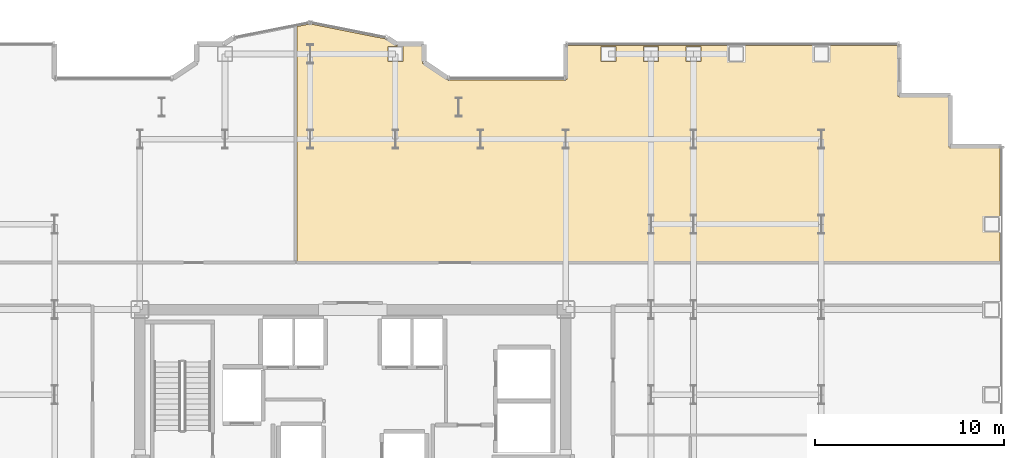
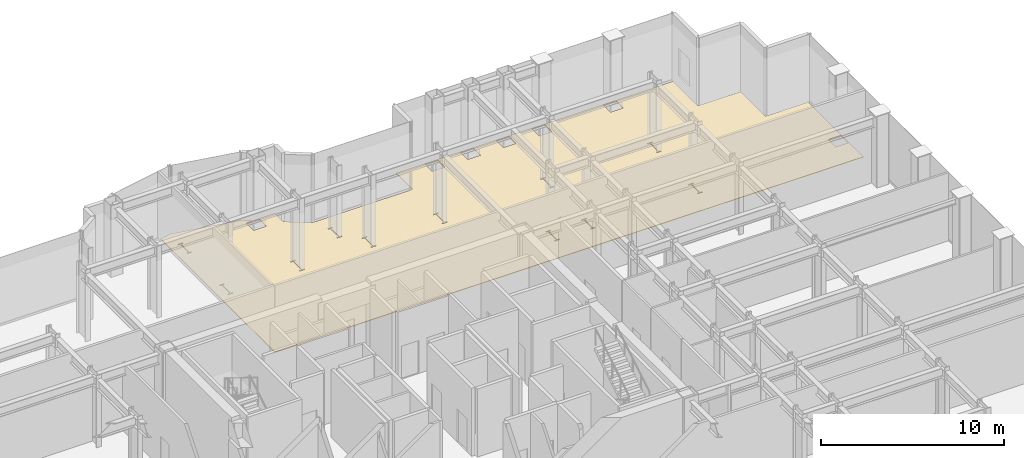
# One storey, part 27 of 27: 1 covering.
"""IFC4 building model written with IfcOpenShell, lengths in metres."""

from ifc_helpers import new_model, si_unit, direction, frame, origin, place, context, subcontext, project, spatial, polyline, outline, extrude, material, layer, layer_set, type_object, element, save


model = new_model("IFC4")

# Units and contexts
model_context = context("Model", 3, precision=1e-05, world=origin(), true_north=direction((0.0, 1.0)))
body_context = subcontext(model_context, "Body", "Model", "MODEL_VIEW")
ifc_project = project(units=[si_unit("LENGTHUNIT", "METRE"), si_unit("AREAUNIT", "SQUARE_METRE"), si_unit("VOLUMEUNIT", "CUBIC_METRE"), si_unit("PLANEANGLEUNIT", "RADIAN"), si_unit("MASSUNIT", "GRAM", prefix="KILO")], contexts=[model_context])

# Site, building, storey
site_placement = place(None, origin())
site = spatial("IfcSite", under=ifc_project, at=site_placement, CompositionType="ELEMENT")
building_placement = place(site_placement, origin())
building = spatial("IfcBuilding", under=site, at=building_placement, Name="Nefas-Gora Pilgrimage Tower", CompositionType="ELEMENT")
storey_placement = place(building_placement, frame((0.0, 0.0, 144.0)))
storey = spatial("IfcBuildingStorey", under=building, at=storey_placement, Name="L35", CompositionType="ELEMENT", Elevation=144.0)

# Covering
ifc_material = material(Name="Honed granite stone flooring", Category="masonry")
ifc_layer = layer(ifc_material, 0.030029296875)
ifc_layer_set = layer_set([ifc_layer], Name="Honed granite stone flooring")
covering_type = type_object("IfcCoveringType", Name="COV-FLOR-GRAN", PredefinedType="FLOORING", material=ifc_layer_set)
covering_placement = place(storey_placement, origin())
element("IfcCovering", 1, at=covering_placement, inside=storey, type_object=covering_type, Name="L35 Honed Granite Flooring (Sky Transfer Concierge Hall)", PredefinedType="FLOORING", context=body_context, shape_type="SweptSolid", body=[
    extrude(outline(polyline([(-2.25, 24.0908203125), (-2.93994140625, 23.95361328125), (-2.93994140625, 11.510009765625), (13.719970703125, 11.510009765625), (34.18994140625, 11.510009765625), (34.18994140625, 17.5400390625), (31.570068359375, 17.5400390625), (31.562255859375, 17.540283203125), (31.554443359375, 17.54150390625), (31.546875, 17.54345703125), (31.539306640625, 17.546142578125), (31.5322265625, 17.54931640625), (31.525634765625, 17.553466796875), (31.519287109375, 17.55810546875), (31.513427734375, 17.5634765625), (31.50830078125, 17.569091796875), (31.50341796875, 17.57568359375), (31.49951171875, 17.582275390625), (31.49609375, 17.58935546875), (31.493408203125, 17.5966796875), (31.491455078125, 17.6044921875), (31.490478515625, 17.6123046875), (31.489990234375, 17.6201171875), (31.489990234375, 20.239990234375), (28.8701171875, 20.239990234375), (28.8623046875, 20.240478515625), (28.8544921875, 20.241455078125), (28.8466796875, 20.243408203125), (28.83935546875, 20.24609375), (28.832275390625, 20.24951171875), (28.82568359375, 20.25341796875), (28.819091796875, 20.25830078125), (28.8134765625, 20.263427734375), (28.80810546875, 20.269287109375), (28.803466796875, 20.275634765625), (28.79931640625, 20.2822265625), (28.796142578125, 20.289306640625), (28.79345703125, 20.296875), (28.79150390625, 20.304443359375), (28.790283203125, 20.312255859375), (28.7900390625, 20.320068359375), (28.7900390625, 22.93994140625), (11.330078125, 22.93994140625), (11.330078125, 21.219970703125), (11.32958984375, 21.212158203125), (11.32861328125, 21.204345703125), (11.32666015625, 21.19677734375), (11.323974609375, 21.189453125), (11.320556640625, 21.182373046875), (11.31640625, 21.175537109375), (11.311767578125, 21.169189453125), (11.306640625, 21.163330078125), (11.30078125, 21.158203125), (11.29443359375, 21.153564453125), (11.28759765625, 21.1494140625), (11.280517578125, 21.14599609375), (11.273193359375, 21.143310546875), (11.265625, 21.1416015625), (11.2578125, 21.140380859375), (11.25, 21.139892578125), (5.01806640625, 21.139892578125), (5.01025390625, 21.140380859375), (5.00244140625, 21.1416015625), (4.994873046875, 21.143310546875), (4.9873046875, 21.14599609375), (4.980224609375, 21.1494140625), (4.9736328125, 21.153564453125), (3.70556640625, 22.000732421875), (3.69921875, 22.00537109375), (3.693359375, 22.0107421875), (3.688232421875, 22.0166015625), (3.68359375, 22.022705078125), (3.679443359375, 22.029541015625), (3.676025390625, 22.03662109375), (3.67333984375, 22.0439453125), (3.67138671875, 22.0517578125), (3.67041015625, 22.059326171875), (3.669921875, 22.0673828125), (3.669921875, 22.93994140625), (2.32421875, 22.93994140625), (2.31640625, 22.9404296875), (2.30859375, 22.94140625), (2.30078125, 22.943359375), (2.29345703125, 22.946044921875), (2.286376953125, 22.949462890625), (2.27978515625, 22.95361328125), (1.776123046875, 23.289794921875), (-2.25, 24.0908203125)]), holes=[polyline([(34.152099609375, 13.097900390625), (33.347900390625, 13.097900390625), (33.347900390625, 13.902099609375), (34.152099609375, 13.902099609375), (34.152099609375, 13.097900390625)]), polyline([(25.152099609375, 22.097900390625), (24.347900390625, 22.097900390625), (24.347900390625, 22.902099609375), (25.152099609375, 22.902099609375), (25.152099609375, 22.097900390625)]), polyline([(24.903076171875, 13.9619140625), (24.762451171875, 13.9619140625), (24.762451171875, 13.0380859375), (24.903076171875, 13.0380859375), (24.903076171875, 12.993896484375), (24.596923828125, 12.993896484375), (24.596923828125, 13.0380859375), (24.737548828125, 13.0380859375), (24.737548828125, 13.9619140625), (24.596923828125, 13.9619140625), (24.596923828125, 14.006103515625), (24.903076171875, 14.006103515625), (24.903076171875, 13.9619140625)]), polyline([(24.903076171875, 18.506103515625), (24.903076171875, 18.4619140625), (24.762451171875, 18.4619140625), (24.762451171875, 17.5380859375), (24.903076171875, 17.5380859375), (24.903076171875, 17.493896484375), (24.596923828125, 17.493896484375), (24.596923828125, 17.5380859375), (24.737548828125, 17.5380859375), (24.737548828125, 18.4619140625), (24.596923828125, 18.4619140625), (24.596923828125, 18.506103515625), (24.903076171875, 18.506103515625)]), polyline([(20.652099609375, 22.097900390625), (19.847900390625, 22.097900390625), (19.847900390625, 22.902099609375), (20.652099609375, 22.902099609375), (20.652099609375, 22.097900390625)]), polyline([(18.402099609375, 22.097900390625), (17.597900390625, 22.097900390625), (17.597900390625, 22.902099609375), (18.402099609375, 22.902099609375), (18.402099609375, 22.097900390625)]), polyline([(18.153076171875, 18.506103515625), (18.153076171875, 18.4619140625), (18.012451171875, 18.4619140625), (18.012451171875, 17.5380859375), (18.153076171875, 17.5380859375), (18.153076171875, 17.493896484375), (17.846923828125, 17.493896484375), (17.846923828125, 17.5380859375), (17.987548828125, 17.5380859375), (17.987548828125, 18.4619140625), (17.846923828125, 18.4619140625), (17.846923828125, 18.506103515625), (18.153076171875, 18.506103515625)]), polyline([(18.153076171875, 14.006103515625), (18.153076171875, 13.9619140625), (18.012451171875, 13.9619140625), (18.012451171875, 13.0380859375), (18.153076171875, 13.0380859375), (18.153076171875, 12.993896484375), (17.846923828125, 12.993896484375), (17.846923828125, 13.0380859375), (17.987548828125, 13.0380859375), (17.987548828125, 13.9619140625), (17.846923828125, 13.9619140625), (17.846923828125, 14.006103515625), (18.153076171875, 14.006103515625)]), polyline([(16.152099609375, 22.097900390625), (15.347900390625, 22.097900390625), (15.347900390625, 22.902099609375), (16.152099609375, 22.902099609375), (16.152099609375, 22.097900390625)]), polyline([(15.903076171875, 13.9619140625), (15.762451171875, 13.9619140625), (15.762451171875, 13.0380859375), (15.903076171875, 13.0380859375), (15.903076171875, 12.993896484375), (15.596923828125, 12.993896484375), (15.596923828125, 13.0380859375), (15.737548828125, 13.0380859375), (15.737548828125, 13.9619140625), (15.596923828125, 13.9619140625), (15.596923828125, 14.006103515625), (15.903076171875, 14.006103515625), (15.903076171875, 13.9619140625)]), polyline([(13.902099609375, 22.902099609375), (13.902099609375, 22.097900390625), (13.097900390625, 22.097900390625), (13.097900390625, 22.902099609375), (13.902099609375, 22.902099609375)]), polyline([(11.403076171875, 18.4619140625), (11.262451171875, 18.4619140625), (11.262451171875, 17.5380859375), (11.403076171875, 17.5380859375), (11.403076171875, 17.493896484375), (11.096923828125, 17.493896484375), (11.096923828125, 17.5380859375), (11.237548828125, 17.5380859375), (11.237548828125, 18.4619140625), (11.096923828125, 18.4619140625), (11.096923828125, 18.506103515625), (11.403076171875, 18.506103515625), (11.403076171875, 18.4619140625)]), polyline([(6.903076171875, 18.4619140625), (6.762451171875, 18.4619140625), (6.762451171875, 17.5380859375), (6.903076171875, 17.5380859375), (6.903076171875, 17.493896484375), (6.596923828125, 17.493896484375), (6.596923828125, 17.5380859375), (6.737548828125, 17.5380859375), (6.737548828125, 18.4619140625), (6.596923828125, 18.4619140625), (6.596923828125, 18.506103515625), (6.903076171875, 18.506103515625), (6.903076171875, 18.4619140625)]), polyline([(5.743896484375, 20.201904296875), (5.743896484375, 20.157958984375), (5.603515625, 20.157958984375), (5.603515625, 19.23388671875), (5.743896484375, 19.23388671875), (5.743896484375, 19.18994140625), (5.43798828125, 19.18994140625), (5.43798828125, 19.23388671875), (5.57861328125, 19.23388671875), (5.57861328125, 20.157958984375), (5.43798828125, 20.157958984375), (5.43798828125, 20.201904296875), (5.743896484375, 20.201904296875)]), polyline([(2.652099609375, 22.902099609375), (2.652099609375, 22.097900390625), (1.847900390625, 22.097900390625), (1.847900390625, 22.902099609375), (2.652099609375, 22.902099609375)]), polyline([(2.403076171875, 18.4619140625), (2.262451171875, 18.4619140625), (2.262451171875, 17.5380859375), (2.403076171875, 17.5380859375), (2.403076171875, 17.493896484375), (2.096923828125, 17.493896484375), (2.096923828125, 17.5380859375), (2.237548828125, 17.5380859375), (2.237548828125, 18.4619140625), (2.096923828125, 18.4619140625), (2.096923828125, 18.506103515625), (2.403076171875, 18.506103515625), (2.403076171875, 18.4619140625)]), polyline([(-2.096923828125, 18.506103515625), (-2.096923828125, 18.4619140625), (-2.237548828125, 18.4619140625), (-2.237548828125, 17.5380859375), (-2.096923828125, 17.5380859375), (-2.096923828125, 17.493896484375), (-2.403076171875, 17.493896484375), (-2.403076171875, 17.5380859375), (-2.262451171875, 17.5380859375), (-2.262451171875, 18.4619140625), (-2.403076171875, 18.4619140625), (-2.403076171875, 18.506103515625), (-2.096923828125, 18.506103515625)]), polyline([(-2.096923828125, 22.9619140625), (-2.237548828125, 22.9619140625), (-2.237548828125, 22.0380859375), (-2.096923828125, 22.0380859375), (-2.096923828125, 21.993896484375), (-2.403076171875, 21.993896484375), (-2.403076171875, 22.0380859375), (-2.262451171875, 22.0380859375), (-2.262451171875, 22.9619140625), (-2.403076171875, 22.9619140625), (-2.403076171875, 23.006103515625), (-2.096923828125, 23.006103515625), (-2.096923828125, 22.9619140625)])]), origin(), (0.0, 0.0, 1.0), 0.030029296875),
])

save(model, "model.ifc")
